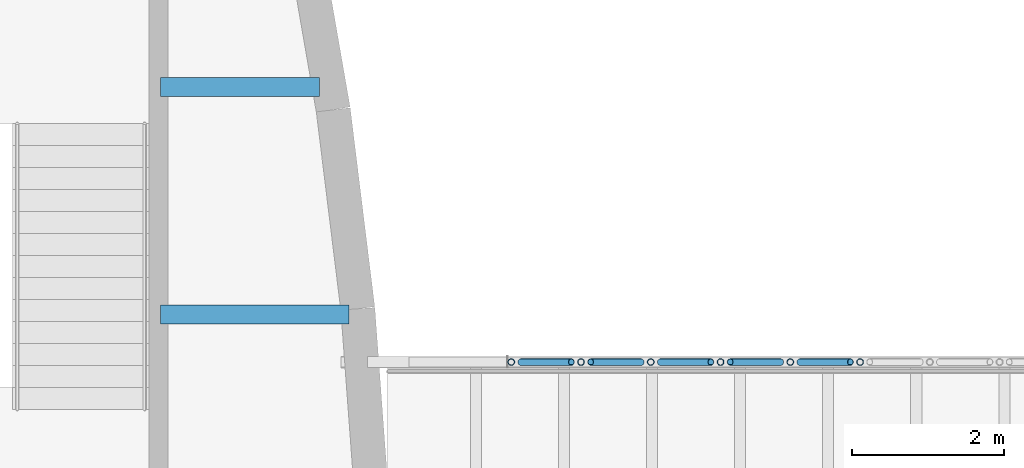
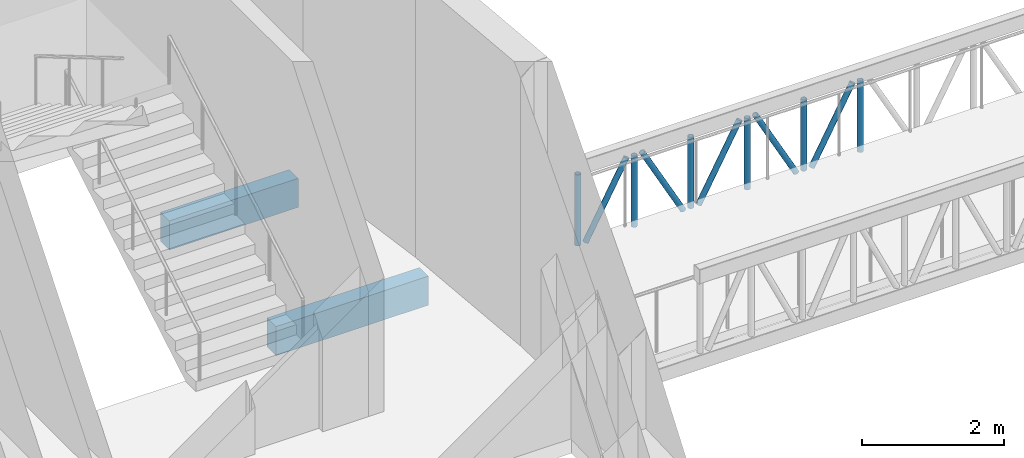
# One storey, part 34 of 93: 11 members, 2 beams.
"""IFC4 building model written with IfcOpenShell, lengths in metres."""

from ifc_helpers import new_model, si_unit, direction, frame, origin, origin_2d, place, context, subcontext, project, spatial, rectangle, hollow_circle, extrude, material, material_profile, profile_set, type_object, element, save


model = new_model("IFC4")

# Units and contexts
model_context = context("Model", 3, precision=1e-05, world=origin(), true_north=direction((0.0, 1.0)))
body_context = subcontext(model_context, "Body", "Model", "MODEL_VIEW")
ifc_project = project(units=[si_unit("LENGTHUNIT", "METRE"), si_unit("AREAUNIT", "SQUARE_METRE"), si_unit("VOLUMEUNIT", "CUBIC_METRE"), si_unit("PLANEANGLEUNIT", "RADIAN"), si_unit("MASSUNIT", "GRAM", prefix="KILO")], contexts=[model_context])

# Site, building, storey
site_placement = place(None, origin())
site = spatial("IfcSite", under=ifc_project, at=site_placement, CompositionType="ELEMENT")
building_placement = place(site_placement, origin())
building = spatial("IfcBuilding", under=site, at=building_placement, Name="Tide Square Theatres", CompositionType="ELEMENT")
storey_placement = place(building_placement, frame((0.0, 0.0, 5.39990234375)))
storey = spatial("IfcBuildingStorey", under=building, at=storey_placement, Name="L01", CompositionType="ELEMENT", Elevation=5.39990234375)

# Beams
ifc_material_1 = material(Name="Concrete C35", Category="concrete")
ifc_material_profile_1 = material_profile(ifc_material_1, rectangle(XDim=0.25, YDim=0.5, at=origin_2d()))
ifc_profile_set_1 = profile_set([ifc_material_profile_1], Name="Concrete C35")
beam_type = type_object("IfcBeamType", Name="RC beam 250 x 500", PredefinedType="BEAM", material=ifc_profile_set_1)
beam_1_placement = place(storey_placement, frame((102.25, 60.199951171875, -0.5), z_axis=(1.0, 0.0, 0.0), x_axis=(0.0, 1.0, 0.0)))
element("IfcBeam", 1, at=beam_1_placement, inside=storey, type_object=beam_type, Name="Floor beam", PredefinedType="BEAM", context=body_context, shape_type="SweptSolid", body=[
    extrude(rectangle(XDim=0.25, YDim=0.5, at=origin_2d()), origin(), (0.0, 0.0, 1.0), 2.48046875),
])
beam_2_placement = place(storey_placement, frame((102.25, 63.199951171875, -0.5), z_axis=(1.0, 0.0, 0.0), x_axis=(0.0, 1.0, 0.0)))
element("IfcBeam", 2, at=beam_2_placement, inside=storey, type_object=beam_type, Name="Floor beam", PredefinedType="BEAM", context=body_context, shape_type="SweptSolid", body=[
    extrude(rectangle(XDim=0.25, YDim=0.5, at=origin_2d()), origin(), (0.0, 0.0, 1.0), 2.095947265625),
])

# Members
ifc_material_2 = material(Name="Steel ASTM A500 Grade C", Category="steel")
ifc_material_profile_2 = material_profile(ifc_material_2, hollow_circle(Radius=0.04443359375, WallThickness=0.0048828125, at=origin_2d()))
ifc_profile_set_2 = profile_set([ifc_material_profile_2], Name="Steel ASTM A500 Grade C")
member_type_1 = type_object("IfcMemberType", Name="Steel brace CHS 88.9 x 5.0", PredefinedType="BRACE", material=ifc_profile_set_2)
for number, where, z_axis, x_axis, name in (
    (3, (111.343017578125, 59.574951171875, 1.0751953125), (-0.477084132828, 0.0, -0.878857627949), (0.0, -1.0, 0.0), "Bridge BR-E1 diagonal"),
    (4, (110.42333984375, 59.574951171875, -0.14990234375), (-0.477084132828, 0.0, 0.878857627949), (0.0, -1.0, 0.0), "Bridge BR-E1 diagonal"),
):
    element("IfcMember", number, at=place(storey_placement, frame(where, z_axis=z_axis, x_axis=x_axis)), inside=storey, type_object=member_type_1, Name=name, PredefinedType="BRACE", context=body_context, shape_type="SweptSolid", body=[
        extrude(hollow_circle(Radius=0.04443359375, WallThickness=0.0048828125, at=origin_2d()), origin(), (0.0, 0.0, 1.0), 1.39404296875),
    ])
for number, where, z_axis, x_axis, name in (
    (5, (109.503662109375, 59.574951171875, 1.0751953125), (-0.476948838574, 0.0, -0.878931058379), (0.0, -1.0, 0.0), "Bridge BR-E1 diagonal"),
    (6, (108.583984375, 59.574951171875, -0.14990234375), (-0.476948838574, 0.0, 0.878931058379), (0.0, -1.0, 0.0), "Bridge BR-E1 diagonal"),
):
    element("IfcMember", number, at=place(storey_placement, frame(where, z_axis=z_axis, x_axis=x_axis)), inside=storey, type_object=member_type_1, Name=name, PredefinedType="BRACE", context=body_context, shape_type="SweptSolid", body=[
        extrude(hollow_circle(Radius=0.04443359375, WallThickness=0.0048828125, at=origin_2d()), origin(), (0.0, 0.0, 1.0), 1.393798828125),
    ])
member_placement = place(storey_placement, frame((107.66455078125, 59.574951171875, 1.0751953125), z_axis=(-0.477084132828, 0.0, -0.878857627949), x_axis=(0.0, -1.0, 0.0)))
element("IfcMember", 7, at=member_placement, inside=storey, type_object=member_type_1, Name="Bridge BR-E1 diagonal", PredefinedType="BRACE", context=body_context, shape_type="SweptSolid", body=[
    extrude(hollow_circle(Radius=0.04443359375, WallThickness=0.0048828125, at=origin_2d()), origin(), (0.0, 0.0, 1.0), 1.39404296875),
])
ifc_material_3 = material(Name="Steel ASTM A500 Grade C", Category="steel")
ifc_material_profile_3 = material_profile(ifc_material_3, hollow_circle(Radius=0.04443359375, WallThickness=0.0048828125, at=origin_2d()))
ifc_profile_set_3 = profile_set([ifc_material_profile_3], Name="Steel ASTM A500 Grade C")
member_type_2 = type_object("IfcMemberType", Name="Steel strut CHS 88.9 x 5.0", PredefinedType="STRUT", material=ifc_profile_set_3)
for number, where, z_axis, x_axis, name in (
    (8, (111.47021484375, 59.574951171875, -0.14990234375), (0.0, 0.0, 1.0), (1.0, 0.0, 0.0), "Bridge BR-E1 post"),
    (9, (110.550537109375, 59.574951171875, -0.14990234375), (0.0, 0.0, 1.0), (1.0, 0.0, 0.0), "Bridge BR-E1 post"),
    (10, (109.631103515625, 59.574951171875, -0.14990234375), (0.0, 0.0, 1.0), (1.0, 0.0, 0.0), "Bridge BR-E1 post"),
    (11, (108.71142578125, 59.574951171875, -0.14990234375), (0.0, 0.0, 1.0), (1.0, 0.0, 0.0), "Bridge BR-E1 post"),
    (12, (107.7919921875, 59.574951171875, -0.14990234375), (0.0, 0.0, 1.0), (1.0, 0.0, 0.0), "Bridge BR-E1 post"),
    (13, (106.872314453125, 59.574951171875, -0.14990234375), (0.0, 0.0, 1.0), (1.0, 0.0, 0.0), "Bridge BR-E1 post"),
):
    element("IfcMember", number, at=place(storey_placement, frame(where, z_axis=z_axis, x_axis=x_axis)), inside=storey, type_object=member_type_2, Name=name, PredefinedType="STRUT", context=body_context, shape_type="SweptSolid", body=[
        extrude(hollow_circle(Radius=0.04443359375, WallThickness=0.0048828125, at=origin_2d()), origin(), (0.0, 0.0, 1.0), 1.22509765625),
    ])

save(model, "model.ifc")
